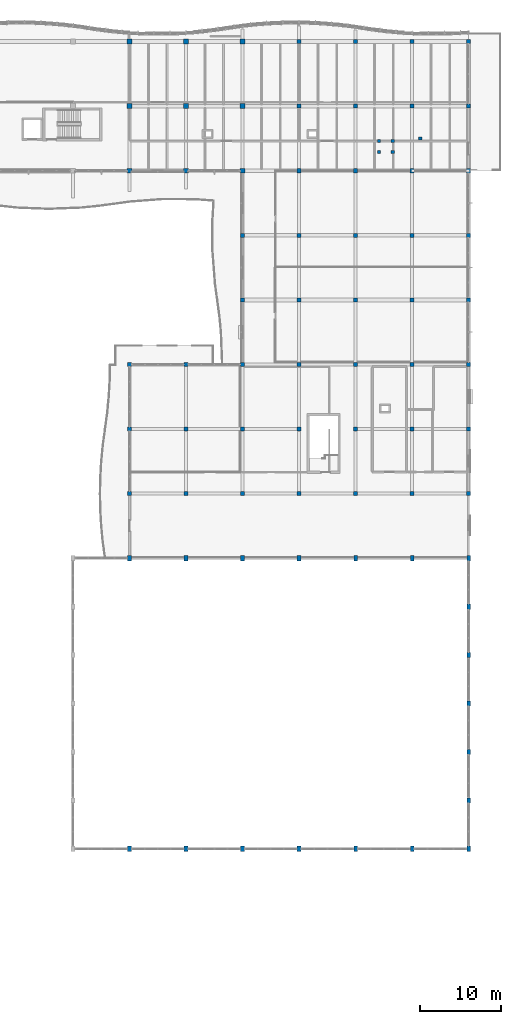
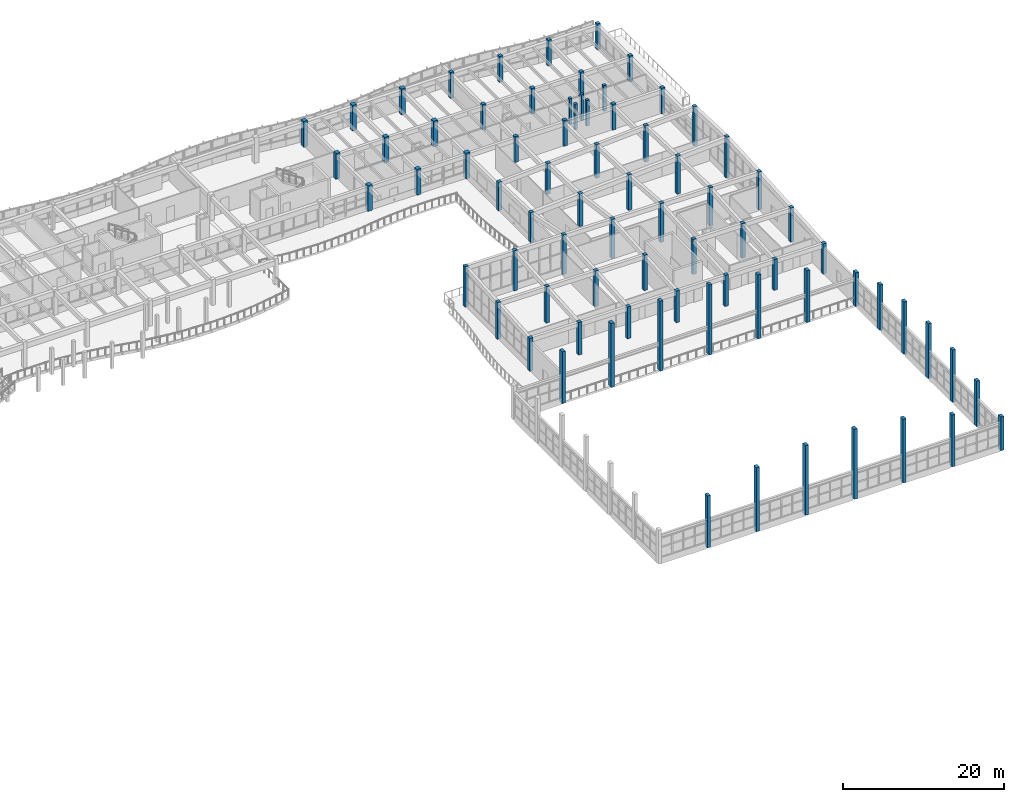
# One storey, part 3 of 89: 76 columns.
"""IFC4 building model written with IfcOpenShell, lengths in metres."""

from ifc_helpers import new_model, si_unit, direction, frame, origin, origin_2d, place, context, subcontext, project, spatial, rectangle, extrude, material, material_profile, profile_set, type_object, element, save


model = new_model("IFC4")

# Units and contexts
model_context = context("Model", 3, precision=1e-05, world=origin(), true_north=direction((0.0, 1.0)))
body_context = subcontext(model_context, "Body", "Model", "MODEL_VIEW")
ifc_project = project(units=[si_unit("LENGTHUNIT", "METRE"), si_unit("AREAUNIT", "SQUARE_METRE"), si_unit("VOLUMEUNIT", "CUBIC_METRE"), si_unit("PLANEANGLEUNIT", "RADIAN"), si_unit("MASSUNIT", "GRAM", prefix="KILO")], contexts=[model_context])

# Site, building, storey
site_placement = place(None, origin())
site = spatial("IfcSite", under=ifc_project, at=site_placement, CompositionType="ELEMENT")
building_placement = place(site_placement, origin())
building = spatial("IfcBuilding", under=site, at=building_placement, Name="Tonlespit Floodbar School", CompositionType="ELEMENT")
storey_placement = place(building_placement, frame((0.0, 0.0, 4.5)))
storey = spatial("IfcBuildingStorey", under=building, at=storey_placement, Name="L01", CompositionType="ELEMENT", Elevation=4.5)

# Columns
ifc_material = material(Name="Concrete C40/50", Category="concrete")
ifc_material_profile_1 = material_profile(ifc_material, rectangle(XDim=0.39990234375, YDim=0.39990234375, at=origin_2d()), Name="RC 400x400")
ifc_profile_set_1 = profile_set([ifc_material_profile_1], Name="Concrete C40/50")
column_type_1 = type_object("IfcColumnType", Name="Column_RC_400x400", PredefinedType="COLUMN", material=ifc_profile_set_1)
for number, where, z_axis, x_axis, name in (
    (1, (170.0, 108.0, 0.0), (0.0, 0.0, 1.0), (1.0, 0.0, 0.0), "L01 courtyard amphitheatre column STL2-TAB"),
    (2, (166.60009765625, 107.679931640625, 0.0), (0.0, 0.0, 1.0), (1.0, 0.0, 0.0), "L01 stair ST-L2 landing column 1"),
    (3, (164.89990234375, 107.679931640625, 0.0), (0.0, 0.0, 1.0), (1.0, 0.0, 0.0), "L01 stair ST-L2 landing column 2"),
    (4, (164.89990234375, 106.320068359375, 0.0), (0.0, 0.0, 1.0), (1.0, 0.0, 0.0), "L01 stair ST-L2 landing column 3"),
    (5, (166.60009765625, 106.320068359375, 0.0), (0.0, 0.0, 1.0), (1.0, 0.0, 0.0), "L01 stair ST-L2 landing column 4"),
):
    element("IfcColumn", number, at=place(storey_placement, frame(where, z_axis=z_axis, x_axis=x_axis)), inside=storey, type_object=column_type_1, Name=name, PredefinedType="COLUMN", context=body_context, shape_type="SweptSolid", body=[
        extrude(rectangle(XDim=0.39990234375, YDim=0.39990234375, at=origin_2d()), origin(), (0.0, 0.0, 1.0), 3.89990234375),
    ])
ifc_material_profile_2 = material_profile(ifc_material, rectangle(XDim=0.449951171875, YDim=0.64990234375, at=origin_2d()), Name="RC 450x650")
ifc_profile_set_2 = profile_set([ifc_material_profile_2], Name="Concrete C40/50")
column_type_2 = type_object("IfcColumnType", Name="Column_RC_450x650", PredefinedType="COLUMN", material=ifc_profile_set_2)
for number, where, z_axis, x_axis, name in (
    (6, (134.0, 20.0, 0.0), (0.0, 0.0, 1.0), (1.0, 0.0, 0.0), "L01 column U16/V03"),
    (7, (134.0, 56.0, 0.0), (0.0, 0.0, 1.0), (1.0, 0.0, 0.0), "L01 column U16/V09"),
):
    element("IfcColumn", number, at=place(storey_placement, frame(where, z_axis=z_axis, x_axis=x_axis)), inside=storey, type_object=column_type_2, Name=name, PredefinedType="COLUMN", context=body_context, shape_type="SweptSolid", body=[
        extrude(rectangle(XDim=0.449951171875, YDim=0.64990234375, at=origin_2d()), origin(), (0.0, 0.0, 1.0), 7.843017578125),
    ])
for number, where, z_axis, x_axis, name in (
    (8, (141.0, 20.0, 0.0), (0.0, 0.0, 1.0), (1.0, 0.0, 0.0), "L01 column U17/V03"),
    (9, (141.0, 56.0, 0.0), (0.0, 0.0, 1.0), (1.0, 0.0, 0.0), "L01 column U17/V09"),
):
    element("IfcColumn", number, at=place(storey_placement, frame(where, z_axis=z_axis, x_axis=x_axis)), inside=storey, type_object=column_type_2, Name=name, PredefinedType="COLUMN", context=body_context, shape_type="SweptSolid", body=[
        extrude(rectangle(XDim=0.449951171875, YDim=0.64990234375, at=origin_2d()), origin(), (0.0, 0.0, 1.0), 9.67138671875),
    ])
for number, where, z_axis, x_axis, name in (
    (10, (148.0, 20.0, 0.0), (0.0, 0.0, 1.0), (1.0, 0.0, 0.0), "L01 column U18/V03"),
    (11, (148.0, 56.0, 0.0), (0.0, 0.0, 1.0), (1.0, 0.0, 0.0), "L01 column U18/V09"),
    (12, (155.0, 20.0, 0.0), (0.0, 0.0, 1.0), (1.0, 0.0, 0.0), "L01 column U19/V03"),
    (13, (155.0, 56.0, 0.0), (0.0, 0.0, 1.0), (1.0, 0.0, 0.0), "L01 column U19/V09"),
):
    element("IfcColumn", number, at=place(storey_placement, frame(where, z_axis=z_axis, x_axis=x_axis)), inside=storey, type_object=column_type_2, Name=name, PredefinedType="COLUMN", context=body_context, shape_type="SweptSolid", body=[
        extrude(rectangle(XDim=0.449951171875, YDim=0.64990234375, at=origin_2d()), origin(), (0.0, 0.0, 1.0), 10.585693359375),
    ])
for number, where, z_axis, x_axis, name in (
    (14, (162.0, 20.0, 0.0), (0.0, 0.0, 1.0), (1.0, 0.0, 0.0), "L01 column U20/V03"),
    (15, (162.0, 56.0, 0.0), (0.0, 0.0, 1.0), (1.0, 0.0, 0.0), "L01 column U20/V09"),
):
    element("IfcColumn", number, at=place(storey_placement, frame(where, z_axis=z_axis, x_axis=x_axis)), inside=storey, type_object=column_type_2, Name=name, PredefinedType="COLUMN", context=body_context, shape_type="SweptSolid", body=[
        extrude(rectangle(XDim=0.449951171875, YDim=0.64990234375, at=origin_2d()), origin(), (0.0, 0.0, 1.0), 9.67138671875),
    ])
for number, where, z_axis, x_axis, name in (
    (16, (169.0, 20.0, 0.0), (0.0, 0.0, 1.0), (1.0, 0.0, 0.0), "L01 column U21/V03"),
    (17, (169.0, 56.0, 0.0), (0.0, 0.0, 1.0), (1.0, 0.0, 0.0), "L01 column U21/V09"),
):
    element("IfcColumn", number, at=place(storey_placement, frame(where, z_axis=z_axis, x_axis=x_axis)), inside=storey, type_object=column_type_2, Name=name, PredefinedType="COLUMN", context=body_context, shape_type="SweptSolid", body=[
        extrude(rectangle(XDim=0.449951171875, YDim=0.64990234375, at=origin_2d()), origin(), (0.0, 0.0, 1.0), 7.843017578125),
    ])
column_1_placement = place(storey_placement, frame((176.0, 20.0, 0.0), z_axis=(0.0, 0.0, 1.0), x_axis=(1.0, 0.0, 0.0)))
element("IfcColumn", 18, at=column_1_placement, inside=storey, type_object=column_type_2, Name="L01 column U22/V03", PredefinedType="COLUMN", context=body_context, shape_type="SweptSolid", body=[
    extrude(rectangle(XDim=0.449951171875, YDim=0.64990234375, at=origin_2d()), origin(), (0.0, 0.0, 1.0), 5.10009765625),
])
column_2_placement = place(storey_placement, frame((176.0, 26.0, 0.0), z_axis=(0.0, 0.0, 1.0), x_axis=(1.0, 0.0, 0.0)))
element("IfcColumn", 19, at=column_2_placement, inside=storey, type_object=column_type_2, Name="L01 column U22/V04", PredefinedType="COLUMN", context=body_context, shape_type="SweptSolid", body=[
    extrude(rectangle(XDim=0.449951171875, YDim=0.64990234375, at=origin_2d()), origin(), (0.0, 0.0, 1.0), 6.877685546875),
])
column_3_placement = place(storey_placement, frame((176.0, 32.0, 0.0), z_axis=(0.0, 0.0, 1.0), x_axis=(1.0, 0.0, 0.0)))
element("IfcColumn", 20, at=column_3_placement, inside=storey, type_object=column_type_2, Name="L01 column U22/V05", PredefinedType="COLUMN", context=body_context, shape_type="SweptSolid", body=[
    extrude(rectangle(XDim=0.449951171875, YDim=0.64990234375, at=origin_2d()), origin(), (0.0, 0.0, 1.0), 7.9443359375),
])
column_4_placement = place(storey_placement, frame((176.0, 38.0, 0.0), z_axis=(0.0, 0.0, 1.0), x_axis=(1.0, 0.0, 0.0)))
element("IfcColumn", 21, at=column_4_placement, inside=storey, type_object=column_type_2, Name="L01 column U22/V06", PredefinedType="COLUMN", context=body_context, shape_type="SweptSolid", body=[
    extrude(rectangle(XDim=0.449951171875, YDim=0.64990234375, at=origin_2d()), origin(), (0.0, 0.0, 1.0), 8.300048828125),
])
column_5_placement = place(storey_placement, frame((176.0, 44.0, 0.0), z_axis=(0.0, 0.0, 1.0), x_axis=(1.0, 0.0, 0.0)))
element("IfcColumn", 22, at=column_5_placement, inside=storey, type_object=column_type_2, Name="L01 column U22/V07", PredefinedType="COLUMN", context=body_context, shape_type="SweptSolid", body=[
    extrude(rectangle(XDim=0.449951171875, YDim=0.64990234375, at=origin_2d()), origin(), (0.0, 0.0, 1.0), 7.9443359375),
])
column_6_placement = place(storey_placement, frame((176.0, 50.0, 0.0), z_axis=(0.0, 0.0, 1.0), x_axis=(1.0, 0.0, 0.0)))
element("IfcColumn", 23, at=column_6_placement, inside=storey, type_object=column_type_2, Name="L01 column U22/V08", PredefinedType="COLUMN", context=body_context, shape_type="SweptSolid", body=[
    extrude(rectangle(XDim=0.449951171875, YDim=0.64990234375, at=origin_2d()), origin(), (0.0, 0.0, 1.0), 6.877685546875),
])
column_7_placement = place(storey_placement, frame((176.0, 56.0, 0.0), z_axis=(0.0, 0.0, 1.0), x_axis=(1.0, 0.0, 0.0)))
element("IfcColumn", 24, at=column_7_placement, inside=storey, type_object=column_type_2, Name="L01 column U22/V09", PredefinedType="COLUMN", context=body_context, shape_type="SweptSolid", body=[
    extrude(rectangle(XDim=0.449951171875, YDim=0.64990234375, at=origin_2d()), origin(), (0.0, 0.0, 1.0), 5.10009765625),
])
ifc_material_profile_3 = material_profile(ifc_material, rectangle(XDim=0.5, YDim=0.5, at=origin_2d()), Name="RC 500x500")
ifc_profile_set_3 = profile_set([ifc_material_profile_3], Name="Concrete C40/50")
column_type_3 = type_object("IfcColumnType", Name="Column_RC_500x500", PredefinedType="COLUMN", material=ifc_profile_set_3)
column_8_placement = place(storey_placement, frame((134.0, 64.0, 0.0), z_axis=(0.0, 0.0, 1.0), x_axis=(1.0, 0.0, 0.0)))
element("IfcColumn", 25, at=column_8_placement, inside=storey, type_object=column_type_3, Name="L01 column U16/V10", PredefinedType="COLUMN", context=body_context, shape_type="SweptSolid", body=[
    extrude(rectangle(XDim=0.5, YDim=0.5, at=origin_2d()), origin(), (0.0, 0.0, 1.0), 4.9853515625),
])
column_9_placement = place(storey_placement, frame((134.0, 72.0, 0.0), z_axis=(0.0, 0.0, 1.0), x_axis=(1.0, 0.0, 0.0)))
element("IfcColumn", 26, at=column_9_placement, inside=storey, type_object=column_type_3, Name="L01 column U16/V11", PredefinedType="COLUMN", context=body_context, shape_type="SweptSolid", body=[
    extrude(rectangle(XDim=0.5, YDim=0.5, at=origin_2d()), origin(), (0.0, 0.0, 1.0), 5.57080078125),
])
column_10_placement = place(storey_placement, frame((134.0, 80.0, 0.0), z_axis=(0.0, 0.0, 1.0), x_axis=(1.0, 0.0, 0.0)))
element("IfcColumn", 27, at=column_10_placement, inside=storey, type_object=column_type_3, Name="L01 column U16/V12", PredefinedType="COLUMN", context=body_context, shape_type="SweptSolid", body=[
    extrude(rectangle(XDim=0.5, YDim=0.5, at=origin_2d()), origin(), (0.0, 0.0, 1.0), 6.156005859375),
])
column_11_placement = place(storey_placement, frame((141.0, 64.0, 0.0), z_axis=(0.0, 0.0, 1.0), x_axis=(1.0, 0.0, 0.0)))
element("IfcColumn", 28, at=column_11_placement, inside=storey, type_object=column_type_3, Name="L01 column U17/V10", PredefinedType="COLUMN", context=body_context, shape_type="SweptSolid", body=[
    extrude(rectangle(XDim=0.5, YDim=0.5, at=origin_2d()), origin(), (0.0, 0.0, 1.0), 4.91943359375),
])
column_12_placement = place(storey_placement, frame((141.0, 72.0, 0.0), z_axis=(0.0, 0.0, 1.0), x_axis=(1.0, 0.0, 0.0)))
element("IfcColumn", 29, at=column_12_placement, inside=storey, type_object=column_type_3, Name="L01 column U17/V11", PredefinedType="COLUMN", context=body_context, shape_type="SweptSolid", body=[
    extrude(rectangle(XDim=0.5, YDim=0.5, at=origin_2d()), origin(), (0.0, 0.0, 1.0), 5.5048828125),
])
column_13_placement = place(storey_placement, frame((141.0, 80.0, 0.0), z_axis=(0.0, 0.0, 1.0), x_axis=(1.0, 0.0, 0.0)))
element("IfcColumn", 30, at=column_13_placement, inside=storey, type_object=column_type_3, Name="L01 column U17/V12", PredefinedType="COLUMN", context=body_context, shape_type="SweptSolid", body=[
    extrude(rectangle(XDim=0.5, YDim=0.5, at=origin_2d()), origin(), (0.0, 0.0, 1.0), 6.090087890625),
])
column_14_placement = place(storey_placement, frame((148.0, 64.0, 0.0), z_axis=(0.0, 0.0, 1.0), x_axis=(1.0, 0.0, 0.0)))
element("IfcColumn", 31, at=column_14_placement, inside=storey, type_object=column_type_3, Name="L01 column U18/V10", PredefinedType="COLUMN", context=body_context, shape_type="SweptSolid", body=[
    extrude(rectangle(XDim=0.5, YDim=0.5, at=origin_2d()), origin(), (0.0, 0.0, 1.0), 4.853515625),
])
column_15_placement = place(storey_placement, frame((148.0, 72.0, 0.0), z_axis=(0.0, 0.0, 1.0), x_axis=(1.0, 0.0, 0.0)))
element("IfcColumn", 32, at=column_15_placement, inside=storey, type_object=column_type_3, Name="L01 column U18/V11", PredefinedType="COLUMN", context=body_context, shape_type="SweptSolid", body=[
    extrude(rectangle(XDim=0.5, YDim=0.5, at=origin_2d()), origin(), (0.0, 0.0, 1.0), 5.43896484375),
])
column_16_placement = place(storey_placement, frame((148.0, 80.0, 0.0), z_axis=(0.0, 0.0, 1.0), x_axis=(1.0, 0.0, 0.0)))
element("IfcColumn", 33, at=column_16_placement, inside=storey, type_object=column_type_3, Name="L01 column U18/V12", PredefinedType="COLUMN", context=body_context, shape_type="SweptSolid", body=[
    extrude(rectangle(XDim=0.5, YDim=0.5, at=origin_2d()), origin(), (0.0, 0.0, 1.0), 6.0244140625),
])
column_17_placement = place(storey_placement, frame((148.0, 88.0, 0.0), z_axis=(0.0, 0.0, 1.0), x_axis=(1.0, 0.0, 0.0)))
element("IfcColumn", 34, at=column_17_placement, inside=storey, type_object=column_type_3, Name="L01 column U18/V13", PredefinedType="COLUMN", context=body_context, shape_type="SweptSolid", body=[
    extrude(rectangle(XDim=0.5, YDim=0.5, at=origin_2d()), origin(), (0.0, 0.0, 1.0), 4.55517578125),
])
column_18_placement = place(storey_placement, frame((148.0, 96.0, 0.0), z_axis=(0.0, 0.0, 1.0), x_axis=(1.0, 0.0, 0.0)))
element("IfcColumn", 35, at=column_18_placement, inside=storey, type_object=column_type_3, Name="L01 column U18/V14", PredefinedType="COLUMN", context=body_context, shape_type="SweptSolid", body=[
    extrude(rectangle(XDim=0.5, YDim=0.5, at=origin_2d()), origin(), (0.0, 0.0, 1.0), 4.277587890625),
])
column_19_placement = place(storey_placement, frame((155.0, 64.0, 0.0), z_axis=(0.0, 0.0, 1.0), x_axis=(1.0, 0.0, 0.0)))
element("IfcColumn", 36, at=column_19_placement, inside=storey, type_object=column_type_3, Name="L01 column U19/V10", PredefinedType="COLUMN", context=body_context, shape_type="SweptSolid", body=[
    extrude(rectangle(XDim=0.5, YDim=0.5, at=origin_2d()), origin(), (0.0, 0.0, 1.0), 4.78759765625),
])
column_20_placement = place(storey_placement, frame((155.0, 72.0, 0.0), z_axis=(0.0, 0.0, 1.0), x_axis=(1.0, 0.0, 0.0)))
element("IfcColumn", 37, at=column_20_placement, inside=storey, type_object=column_type_3, Name="L01 column U19/V11", PredefinedType="COLUMN", context=body_context, shape_type="SweptSolid", body=[
    extrude(rectangle(XDim=0.5, YDim=0.5, at=origin_2d()), origin(), (0.0, 0.0, 1.0), 5.373046875),
])
column_21_placement = place(storey_placement, frame((155.0, 80.0, 0.0), z_axis=(0.0, 0.0, 1.0), x_axis=(1.0, 0.0, 0.0)))
element("IfcColumn", 38, at=column_21_placement, inside=storey, type_object=column_type_3, Name="L01 column U19/V12", PredefinedType="COLUMN", context=body_context, shape_type="SweptSolid", body=[
    extrude(rectangle(XDim=0.5, YDim=0.5, at=origin_2d()), origin(), (0.0, 0.0, 1.0), 5.95849609375),
])
column_22_placement = place(storey_placement, frame((155.0, 88.0, 0.0), z_axis=(0.0, 0.0, 1.0), x_axis=(1.0, 0.0, 0.0)))
element("IfcColumn", 39, at=column_22_placement, inside=storey, type_object=column_type_3, Name="L01 column U19/V13", PredefinedType="COLUMN", context=body_context, shape_type="SweptSolid", body=[
    extrude(rectangle(XDim=0.5, YDim=0.5, at=origin_2d()), origin(), (0.0, 0.0, 1.0), 4.96044921875),
])
column_23_placement = place(storey_placement, frame((155.0, 96.0, 0.0), z_axis=(0.0, 0.0, 1.0), x_axis=(1.0, 0.0, 0.0)))
element("IfcColumn", 40, at=column_23_placement, inside=storey, type_object=column_type_3, Name="L01 column U19/V14", PredefinedType="COLUMN", context=body_context, shape_type="SweptSolid", body=[
    extrude(rectangle(XDim=0.5, YDim=0.5, at=origin_2d()), origin(), (0.0, 0.0, 1.0), 4.682861328125),
])
for number, where, z_axis, x_axis, name in (
    (41, (155.0, 104.0, 0.0), (0.0, 0.0, 1.0), (1.0, 0.0, 0.0), "L01 column U19/V15"),
    (42, (155.0, 112.0, 0.0), (0.0, 0.0, 1.0), (1.0, 0.0, 0.0), "L01 column U19/V16"),
    (43, (155.0, 120.0, 0.0), (0.0, 0.0, 1.0), (1.0, 0.0, 0.0), "L01 column U19/V17"),
):
    element("IfcColumn", number, at=place(storey_placement, frame(where, z_axis=z_axis, x_axis=x_axis)), inside=storey, type_object=column_type_3, Name=name, PredefinedType="COLUMN", context=body_context, shape_type="SweptSolid", body=[
        extrude(rectangle(XDim=0.5, YDim=0.5, at=origin_2d()), origin(), (0.0, 0.0, 1.0), 3.89990234375),
    ])
column_24_placement = place(storey_placement, frame((162.0, 64.0, 0.0), z_axis=(0.0, 0.0, 1.0), x_axis=(1.0, 0.0, 0.0)))
element("IfcColumn", 44, at=column_24_placement, inside=storey, type_object=column_type_3, Name="L01 column U20/V10", PredefinedType="COLUMN", context=body_context, shape_type="SweptSolid", body=[
    extrude(rectangle(XDim=0.5, YDim=0.5, at=origin_2d()), origin(), (0.0, 0.0, 1.0), 4.7216796875),
])
column_25_placement = place(storey_placement, frame((162.0, 72.0, 0.0), z_axis=(0.0, 0.0, 1.0), x_axis=(1.0, 0.0, 0.0)))
element("IfcColumn", 45, at=column_25_placement, inside=storey, type_object=column_type_3, Name="L01 column U20/V11", PredefinedType="COLUMN", context=body_context, shape_type="SweptSolid", body=[
    extrude(rectangle(XDim=0.5, YDim=0.5, at=origin_2d()), origin(), (0.0, 0.0, 1.0), 5.30712890625),
])
column_26_placement = place(storey_placement, frame((162.0, 80.0, 0.0), z_axis=(0.0, 0.0, 1.0), x_axis=(1.0, 0.0, 0.0)))
element("IfcColumn", 46, at=column_26_placement, inside=storey, type_object=column_type_3, Name="L01 column U20/V12", PredefinedType="COLUMN", context=body_context, shape_type="SweptSolid", body=[
    extrude(rectangle(XDim=0.5, YDim=0.5, at=origin_2d()), origin(), (0.0, 0.0, 1.0), 5.892578125),
])
column_27_placement = place(storey_placement, frame((162.0, 88.0, 0.0), z_axis=(0.0, 0.0, 1.0), x_axis=(1.0, 0.0, 0.0)))
element("IfcColumn", 47, at=column_27_placement, inside=storey, type_object=column_type_3, Name="L01 column U20/V13", PredefinedType="COLUMN", context=body_context, shape_type="SweptSolid", body=[
    extrude(rectangle(XDim=0.5, YDim=0.5, at=origin_2d()), origin(), (0.0, 0.0, 1.0), 5.365478515625),
])
column_28_placement = place(storey_placement, frame((162.0, 96.0, 0.0), z_axis=(0.0, 0.0, 1.0), x_axis=(1.0, 0.0, 0.0)))
element("IfcColumn", 48, at=column_28_placement, inside=storey, type_object=column_type_3, Name="L01 column U20/V14", PredefinedType="COLUMN", context=body_context, shape_type="SweptSolid", body=[
    extrude(rectangle(XDim=0.5, YDim=0.5, at=origin_2d()), origin(), (0.0, 0.0, 1.0), 5.088134765625),
])
for number, where, z_axis, x_axis, name in (
    (49, (162.0, 104.0, 0.0), (0.0, 0.0, 1.0), (1.0, 0.0, 0.0), "L01 column U20/V15"),
    (50, (162.0, 112.0, 0.0), (0.0, 0.0, 1.0), (1.0, 0.0, 0.0), "L01 column U20/V16"),
    (51, (162.0, 120.0, 0.0), (0.0, 0.0, 1.0), (1.0, 0.0, 0.0), "L01 column U20/V17"),
):
    element("IfcColumn", number, at=place(storey_placement, frame(where, z_axis=z_axis, x_axis=x_axis)), inside=storey, type_object=column_type_3, Name=name, PredefinedType="COLUMN", context=body_context, shape_type="SweptSolid", body=[
        extrude(rectangle(XDim=0.5, YDim=0.5, at=origin_2d()), origin(), (0.0, 0.0, 1.0), 3.89990234375),
    ])
column_29_placement = place(storey_placement, frame((169.0, 64.0, 0.0), z_axis=(0.0, 0.0, 1.0), x_axis=(1.0, 0.0, 0.0)))
element("IfcColumn", 52, at=column_29_placement, inside=storey, type_object=column_type_3, Name="L01 column U21/V10", PredefinedType="COLUMN", context=body_context, shape_type="SweptSolid", body=[
    extrude(rectangle(XDim=0.5, YDim=0.5, at=origin_2d()), origin(), (0.0, 0.0, 1.0), 4.656005859375),
])
column_30_placement = place(storey_placement, frame((169.0, 72.0, 0.0), z_axis=(0.0, 0.0, 1.0), x_axis=(1.0, 0.0, 0.0)))
element("IfcColumn", 53, at=column_30_placement, inside=storey, type_object=column_type_3, Name="L01 column U21/V11", PredefinedType="COLUMN", context=body_context, shape_type="SweptSolid", body=[
    extrude(rectangle(XDim=0.5, YDim=0.5, at=origin_2d()), origin(), (0.0, 0.0, 1.0), 5.2412109375),
])
column_31_placement = place(storey_placement, frame((169.0, 80.0, 0.0), z_axis=(0.0, 0.0, 1.0), x_axis=(1.0, 0.0, 0.0)))
element("IfcColumn", 54, at=column_31_placement, inside=storey, type_object=column_type_3, Name="L01 column U21/V12", PredefinedType="COLUMN", context=body_context, shape_type="SweptSolid", body=[
    extrude(rectangle(XDim=0.5, YDim=0.5, at=origin_2d()), origin(), (0.0, 0.0, 1.0), 5.82666015625),
])
column_32_placement = place(storey_placement, frame((169.0, 88.0, 0.0), z_axis=(0.0, 0.0, 1.0), x_axis=(1.0, 0.0, 0.0)))
element("IfcColumn", 55, at=column_32_placement, inside=storey, type_object=column_type_3, Name="L01 column U21/V13", PredefinedType="COLUMN", context=body_context, shape_type="SweptSolid", body=[
    extrude(rectangle(XDim=0.5, YDim=0.5, at=origin_2d()), origin(), (0.0, 0.0, 1.0), 5.77099609375),
])
column_33_placement = place(storey_placement, frame((169.0, 96.0, 0.0), z_axis=(0.0, 0.0, 1.0), x_axis=(1.0, 0.0, 0.0)))
element("IfcColumn", 56, at=column_33_placement, inside=storey, type_object=column_type_3, Name="L01 column U21/V14", PredefinedType="COLUMN", context=body_context, shape_type="SweptSolid", body=[
    extrude(rectangle(XDim=0.5, YDim=0.5, at=origin_2d()), origin(), (0.0, 0.0, 1.0), 5.493408203125),
])
for number, where, z_axis, x_axis, name in (
    (57, (169.0, 104.0, 0.0), (0.0, 0.0, 1.0), (1.0, 0.0, 0.0), "L01 column U21/V15"),
    (58, (169.0, 112.0, 0.0), (0.0, 0.0, 1.0), (1.0, 0.0, 0.0), "L01 column U21/V16"),
    (59, (169.0, 120.0, 0.0), (0.0, 0.0, 1.0), (1.0, 0.0, 0.0), "L01 column U21/V17"),
):
    element("IfcColumn", number, at=place(storey_placement, frame(where, z_axis=z_axis, x_axis=x_axis)), inside=storey, type_object=column_type_3, Name=name, PredefinedType="COLUMN", context=body_context, shape_type="SweptSolid", body=[
        extrude(rectangle(XDim=0.5, YDim=0.5, at=origin_2d()), origin(), (0.0, 0.0, 1.0), 3.89990234375),
    ])
column_34_placement = place(storey_placement, frame((176.0, 64.0, 0.0), z_axis=(0.0, 0.0, 1.0), x_axis=(1.0, 0.0, 0.0)))
element("IfcColumn", 60, at=column_34_placement, inside=storey, type_object=column_type_3, Name="L01 column U22/V10", PredefinedType="COLUMN", context=body_context, shape_type="SweptSolid", body=[
    extrude(rectangle(XDim=0.5, YDim=0.5, at=origin_2d()), origin(), (0.0, 0.0, 1.0), 4.590087890625),
])
column_35_placement = place(storey_placement, frame((176.0, 72.0, 0.0), z_axis=(0.0, 0.0, 1.0), x_axis=(1.0, 0.0, 0.0)))
element("IfcColumn", 61, at=column_35_placement, inside=storey, type_object=column_type_3, Name="L01 column U22/V11", PredefinedType="COLUMN", context=body_context, shape_type="SweptSolid", body=[
    extrude(rectangle(XDim=0.5, YDim=0.5, at=origin_2d()), origin(), (0.0, 0.0, 1.0), 5.17529296875),
])
column_36_placement = place(storey_placement, frame((176.0, 80.0, 0.0), z_axis=(0.0, 0.0, 1.0), x_axis=(1.0, 0.0, 0.0)))
element("IfcColumn", 62, at=column_36_placement, inside=storey, type_object=column_type_3, Name="L01 column U22/V12", PredefinedType="COLUMN", context=body_context, shape_type="SweptSolid", body=[
    extrude(rectangle(XDim=0.5, YDim=0.5, at=origin_2d()), origin(), (0.0, 0.0, 1.0), 5.7607421875),
])
column_37_placement = place(storey_placement, frame((176.0, 88.0, 0.0), z_axis=(0.0, 0.0, 1.0), x_axis=(1.0, 0.0, 0.0)))
element("IfcColumn", 63, at=column_37_placement, inside=storey, type_object=column_type_3, Name="L01 column U22/V13", PredefinedType="COLUMN", context=body_context, shape_type="SweptSolid", body=[
    extrude(rectangle(XDim=0.5, YDim=0.5, at=origin_2d()), origin(), (0.0, 0.0, 1.0), 6.176025390625),
])
column_38_placement = place(storey_placement, frame((176.0, 96.0, 0.0), z_axis=(0.0, 0.0, 1.0), x_axis=(1.0, 0.0, 0.0)))
element("IfcColumn", 64, at=column_38_placement, inside=storey, type_object=column_type_3, Name="L01 column U22/V14", PredefinedType="COLUMN", context=body_context, shape_type="SweptSolid", body=[
    extrude(rectangle(XDim=0.5, YDim=0.5, at=origin_2d()), origin(), (0.0, 0.0, 1.0), 5.898681640625),
])
for number, where, z_axis, x_axis, name in (
    (65, (176.0, 104.0, 0.0), (0.0, 0.0, 1.0), (1.0, 0.0, 0.0), "L01 column U22/V15"),
    (66, (176.0, 112.0, 0.0), (0.0, 0.0, 1.0), (1.0, 0.0, 0.0), "L01 column U22/V16"),
    (67, (176.0, 120.0, 0.0), (0.0, 0.0, 1.0), (1.0, 0.0, 0.0), "L01 column U22/V17"),
):
    element("IfcColumn", number, at=place(storey_placement, frame(where, z_axis=z_axis, x_axis=x_axis)), inside=storey, type_object=column_type_3, Name=name, PredefinedType="COLUMN", context=body_context, shape_type="SweptSolid", body=[
        extrude(rectangle(XDim=0.5, YDim=0.5, at=origin_2d()), origin(), (0.0, 0.0, 1.0), 3.89990234375),
    ])
ifc_material_profile_4 = material_profile(ifc_material, rectangle(XDim=0.60009765625, YDim=0.60009765625, at=origin_2d()), Name="RC 600x600")
ifc_profile_set_4 = profile_set([ifc_material_profile_4], Name="Concrete C40/50")
column_type_4 = type_object("IfcColumnType", Name="Column_RC_600x600", PredefinedType="COLUMN", material=ifc_profile_set_4)
for number, where, z_axis, x_axis, name in (
    (68, (134.0, 104.0, 0.0), (0.0, 0.0, 1.0), (1.0, 0.0, 0.0), "L01 column U16/V15"),
    (69, (134.0, 112.0, 0.0), (0.0, 0.0, 1.0), (1.0, 0.0, 0.0), "L01 column U16/V16"),
    (70, (134.0, 120.0, 0.0), (0.0, 0.0, 1.0), (1.0, 0.0, 0.0), "L01 column U16/V17"),
    (71, (141.0, 104.0, 0.0), (0.0, 0.0, 1.0), (1.0, 0.0, 0.0), "L01 column U17/V15"),
    (72, (141.0, 112.0, 0.0), (0.0, 0.0, 1.0), (1.0, 0.0, 0.0), "L01 column U17/V16"),
    (73, (141.0, 120.0, 0.0), (0.0, 0.0, 1.0), (1.0, 0.0, 0.0), "L01 column U17/V17"),
    (74, (148.0, 104.0, 0.0), (0.0, 0.0, 1.0), (1.0, 0.0, 0.0), "L01 column U18/V15"),
    (75, (148.0, 112.0, 0.0), (0.0, 0.0, 1.0), (1.0, 0.0, 0.0), "L01 column U18/V16"),
    (76, (148.0, 120.0, 0.0), (0.0, 0.0, 1.0), (1.0, 0.0, 0.0), "L01 column U18/V17"),
):
    element("IfcColumn", number, at=place(storey_placement, frame(where, z_axis=z_axis, x_axis=x_axis)), inside=storey, type_object=column_type_4, Name=name, PredefinedType="COLUMN", context=body_context, shape_type="SweptSolid", body=[
        extrude(rectangle(XDim=0.60009765625, YDim=0.60009765625, at=origin_2d()), origin(), (0.0, 0.0, 1.0), 3.89990234375),
    ])

save(model, "model.ifc")
